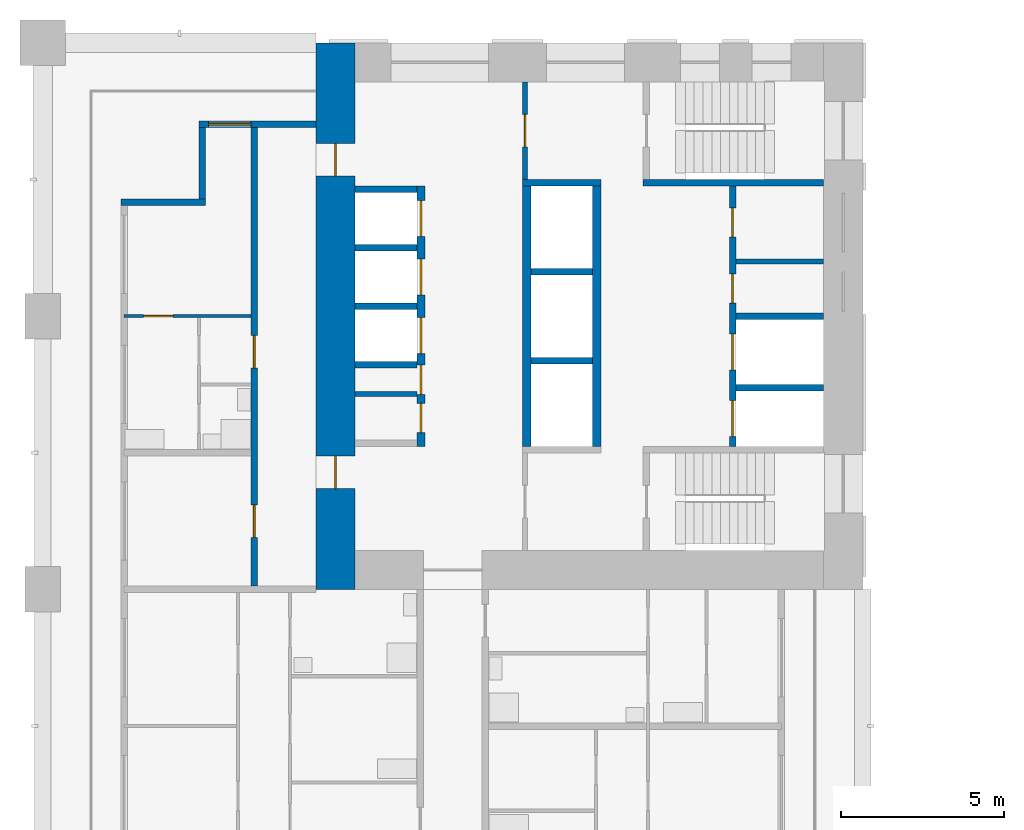
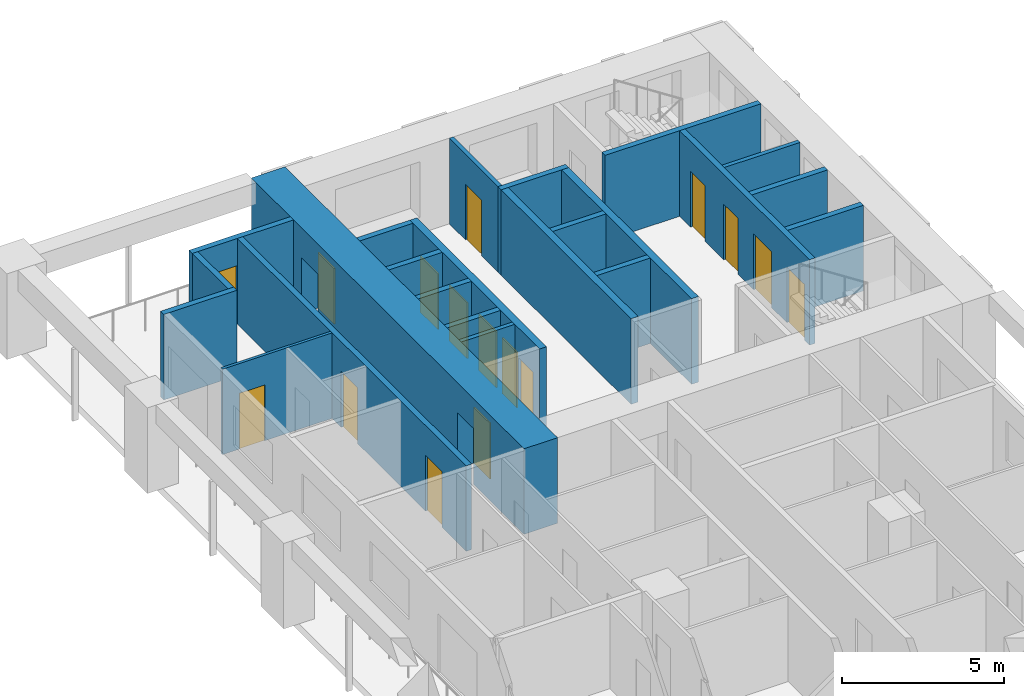
# One storey, part 9 of 19: 23 walls, 16 doors, 16 openings.
"""IFC4 building model written with IfcOpenShell, lengths in metres."""

from ifc_helpers import new_model, si_unit, direction, frame, frame_2d, origin, place, context, subcontext, project, spatial, rectangle, extrude, material, layer, layer_set, type_object, element, fill, save


model = new_model("IFC4")

# Units and contexts
model_context = context("Model", 3, precision=1e-05, world=origin(), true_north=direction((0.0, 1.0)))
body_context = subcontext(model_context, "Body", "Model", "MODEL_VIEW")
ifc_project = project(units=[si_unit("LENGTHUNIT", "METRE"), si_unit("AREAUNIT", "SQUARE_METRE"), si_unit("VOLUMEUNIT", "CUBIC_METRE"), si_unit("PLANEANGLEUNIT", "RADIAN"), si_unit("MASSUNIT", "GRAM", prefix="KILO")], contexts=[model_context])

# Site, building, storey
site_placement = place(None, origin())
site = spatial("IfcSite", under=ifc_project, at=site_placement, CompositionType="ELEMENT")
building_placement = place(site_placement, origin())
building = spatial("IfcBuilding", under=site, at=building_placement, Name="Vermilion Gate Residences", CompositionType="ELEMENT")
storey_placement = place(building_placement, frame((0.0, 0.0, 53.199951171875)))
storey = spatial("IfcBuildingStorey", under=building, at=storey_placement, Name="L12", CompositionType="ELEMENT", Elevation=53.199951171875)

# Walls
ifc_material_1 = material(Name="Masonry blockwork", Category="masonry")
ifc_layer_1 = layer(ifc_material_1, 0.14990234375)
ifc_layer_set_1 = layer_set([ifc_layer_1], Name="BLOCKWORK PARTITION 150 EI 120")
wall_type_1 = type_object("IfcWallType", Name="BLOCKWORK PARTITION 150 EI 120", PredefinedType="PARTITIONING", material=ifc_layer_set_1)
wall_1_placement = place(storey_placement, frame((9.60009765625, 48.007568359375, 0.0), z_axis=(0.0, 0.0, 1.0), x_axis=(1.0, 0.0, 0.0)))
element("IfcWall", 1, at=wall_1_placement, inside=storey, type_object=wall_type_1, Name="Core room partition B12-SR-P0", PredefinedType="PARTITIONING", context=body_context, shape_type="SweptSolid", body=[
    extrude(rectangle(XDim=1.89990234375, YDim=0.14990234375, at=frame_2d((0.949951171875, 0.0))), origin(), (0.0, 0.0, 1.0), 3.219970703125),
])
wall_2_placement = place(storey_placement, frame((21.300048828125, 52.074951171875, 0.0), z_axis=(0.0, 0.0, 1.0), x_axis=(1.0, 0.0, 0.0)))
element("IfcWall", 2, at=wall_2_placement, inside=storey, type_object=wall_type_1, Name="Core room partition B12-NR-P0", PredefinedType="PARTITIONING", context=body_context, shape_type="SweptSolid", body=[
    extrude(rectangle(XDim=2.699951171875, YDim=0.14990234375, at=frame_2d((1.35009765625, 0.0))), origin(), (0.0, 0.0, 1.0), 3.219970703125),
])

# Wall, opening, door
wall_3_placement = place(storey_placement, frame((14.824951171875, 57.60009765625, 0.0), z_axis=(0.0, 0.0, 1.0), x_axis=(0.0, -1.0, 0.0)))
wall_3 = element("IfcWall", 3, at=wall_3_placement, inside=storey, type_object=wall_type_1, Name="Core room partition B12-VW-S", PredefinedType="PARTITIONING", context=body_context, shape_type="SweptSolid", body=[
    extrude(rectangle(XDim=3.0, YDim=0.14990234375, at=frame_2d((1.5, 0.0))), origin(), (0.0, 0.0, 1.0), 3.219970703125),
])
opening_1_placement = place(wall_3_placement, frame((1.0, 0.0, 0.0)))
opening_1 = element("IfcOpeningElement", 4, at=opening_1_placement, cuts=wall_3, Name="Opening DK12113", PredefinedType="OPENING", context=body_context, shape_type="SweptSolid", body=[
    extrude(rectangle(XDim=1.0, YDim=2.10009765625, at=frame_2d((0.5, 1.050048828125))), frame((0.0, 0.0849609375, 0.0), z_axis=(0.0, -1.0, 0.0), x_axis=(1.0, 0.0, 0.0)), (0.0, 0.0, 1.0), 0.169921875),
])
ifc_material_2 = material(Name="Steel", Category="steel")
door_type_1 = type_object("IfcDoorType", Name="FIRE DOOR FD60 1000 X 2100", OperationType="SINGLE_SWING_LEFT", PredefinedType="DOOR", material=ifc_material_2)
door_1_placement = place(opening_1_placement, frame((1.0, 0.0, 0.0), z_axis=(0.0, 0.0, 1.0), x_axis=(-1.0, 0.0, 0.0)))
door_1 = element("IfcDoor", 5, at=door_1_placement, inside=storey, type_object=door_type_1, Name="Stair vestibule door B12", OperationType="SINGLE_SWING_RIGHT", OverallHeight=2.10009765625, OverallWidth=1.0, PredefinedType="DOOR", context=body_context, shape_type="SweptSolid", body=[
    extrude(rectangle(XDim=1.0, YDim=2.10009765625, at=frame_2d((0.5, 1.050048828125))), frame((0.0, 0.02490234375, 0.0), z_axis=(0.0, -1.0, 0.0), x_axis=(1.0, 0.0, 0.0)), (0.0, 0.0, 1.0), 0.050048828125),
])
fill(opening_1, door_1)

ifc_material_3 = material(Name="Insulated steel stud wall with terracotta rainscreen", Category="masonry")
ifc_layer_2 = layer(ifc_material_3, 0.199951171875)
ifc_layer_set_2 = layer_set([ifc_layer_2], Name="EXTERNAL WALL 200 TERRACOTTA RAINSCREEN")
wall_type_2 = type_object("IfcWallType", Name="EXTERNAL WALL 200 TERRACOTTA RAINSCREEN", PredefinedType="SOLIDWALL", material=ifc_layer_set_2)
wall_4_placement = place(storey_placement, frame((8.39990234375, 56.300048828125, 0.0), z_axis=(0.0, 0.0, 1.0), x_axis=(-1.0, 0.0, 0.0)))
wall_4 = element("IfcWall", 6, at=wall_4_placement, inside=storey, type_object=wall_type_2, Name="External wall", PredefinedType="SOLIDWALL", context=body_context, shape_type="SweptSolid", body=[
    extrude(rectangle(XDim=3.599853515625, YDim=0.199951171875, at=frame_2d((1.7998046875, 0.0))), origin(), (0.0, 0.0, 1.0), 3.219970703125),
])
opening_2_placement = place(wall_4_placement, frame((2.0, 0.0, 0.0)))
opening_2 = element("IfcOpeningElement", 7, at=opening_2_placement, cuts=wall_4, Name="Opening DE12001", PredefinedType="OPENING", context=body_context, shape_type="SweptSolid", body=[
    extrude(rectangle(XDim=1.300048828125, YDim=2.199951171875, at=frame_2d((0.64990234375, 1.10009765625))), frame((0.0, 0.10986328125, 0.0), z_axis=(0.0, -1.0, 0.0), x_axis=(1.0, 0.0, 0.0)), (0.0, 0.0, 1.0), 0.219970703125),
])
ifc_material_4 = material(Name="Aluminium and clear glass", Category="aluminium")
door_type_2 = type_object("IfcDoorType", Name="SLIDING GLAZED DOOR 1300 X 2200", OperationType="DOUBLE_DOOR_SLIDING", PredefinedType="DOOR", material=ifc_material_4)
door_2_placement = place(opening_2_placement, origin())
door_2 = element("IfcDoor", 8, at=door_2_placement, inside=storey, type_object=door_type_2, Name="Loggia sliding door", OperationType="DOUBLE_DOOR_SLIDING", OverallHeight=2.199951171875, OverallWidth=1.300048828125, PredefinedType="DOOR", context=body_context, shape_type="SweptSolid", body=[
    extrude(rectangle(XDim=1.300048828125, YDim=2.199951171875, at=frame_2d((0.64990234375, 1.10009765625))), frame((0.0, 0.02490234375, 0.0), z_axis=(0.0, -1.0, 0.0), x_axis=(1.0, 0.0, 0.0)), (0.0, 0.0, 1.0), 0.050048828125),
])
fill(opening_2, door_2)

# Walls
wall_5_placement = place(storey_placement, frame((4.89990234375, 56.199951171875, 0.0), z_axis=(0.0, 0.0, 1.0), x_axis=(0.0, -1.0, 0.0)))
element("IfcWall", 9, at=wall_5_placement, inside=storey, type_object=wall_type_2, Name="External wall", PredefinedType="SOLIDWALL", context=body_context, shape_type="SweptSolid", body=[
    extrude(rectangle(XDim=2.199951171875, YDim=0.199951171875, at=frame_2d((1.10009765625, 0.0))), origin(), (0.0, 0.0, 1.0), 3.219970703125),
])
wall_6_placement = place(storey_placement, frame((5.0, 53.89990234375, 0.0), z_axis=(0.0, 0.0, 1.0), x_axis=(-1.0, 0.0, 0.0)))
element("IfcWall", 10, at=wall_6_placement, inside=storey, type_object=wall_type_2, Name="External wall", PredefinedType="SOLIDWALL", context=body_context, shape_type="SweptSolid", body=[
    extrude(rectangle(XDim=2.60009765625, YDim=0.199951171875, at=frame_2d((1.300048828125, 0.0))), origin(), (0.0, 0.0, 1.0), 3.219970703125),
])

# Wall, opening, door
ifc_material_5 = material(Name="Plasterboard on steel studs", Category="steel")
ifc_layer_3 = layer(ifc_material_5, 0.10009765625)
ifc_layer_set_3 = layer_set([ifc_layer_3], Name="PARTITION 100")
wall_type_3 = type_object("IfcWallType", Name="PARTITION 100", PredefinedType="PARTITIONING", material=ifc_layer_set_3)
wall_7_placement = place(storey_placement, frame((2.5, 50.39990234375, 0.0), z_axis=(0.0, 0.0, 1.0), x_axis=(1.0, 0.0, 0.0)))
wall_7 = element("IfcWall", 11, at=wall_7_placement, inside=storey, type_object=wall_type_3, Name="Partition", PredefinedType="PARTITIONING", context=body_context, shape_type="SweptSolid", body=[
    extrude(rectangle(XDim=3.89990234375, YDim=0.10009765625, at=frame_2d((1.949951171875, 0.0))), origin(), (0.0, 0.0, 1.0), 3.219970703125),
])
opening_3_placement = place(wall_7_placement, frame((0.60009765625, 0.0, 0.0)))
opening_3 = element("IfcOpeningElement", 12, at=opening_3_placement, cuts=wall_7, Name="Opening DA10042", PredefinedType="OPENING", context=body_context, shape_type="SweptSolid", body=[
    extrude(rectangle(XDim=0.89990234375, YDim=2.10009765625, at=frame_2d((0.449951171875, 1.050048828125))), frame((0.0, 0.06005859375, 0.0), z_axis=(0.0, -1.0, 0.0), x_axis=(1.0, 0.0, 0.0)), (0.0, 0.0, 1.0), 0.1201171875),
])
ifc_material_6 = material(Name="Timber", Category="wood")
door_type_3 = type_object("IfcDoorType", Name="INTERIOR DOOR 900 X 2100", OperationType="SINGLE_SWING_LEFT", PredefinedType="DOOR", material=ifc_material_6)
door_3_placement = place(opening_3_placement, frame((0.89990234375, 0.0, 0.0), z_axis=(0.0, 0.0, 1.0), x_axis=(-1.0, 0.0, 0.0)))
door_3 = element("IfcDoor", 13, at=door_3_placement, inside=storey, type_object=door_type_3, Name="Interior door", OperationType="SINGLE_SWING_RIGHT", OverallHeight=2.10009765625, OverallWidth=0.89990234375, PredefinedType="DOOR", context=body_context, shape_type="SweptSolid", body=[
    extrude(rectangle(XDim=0.89990234375, YDim=2.10009765625, at=frame_2d((0.449951171875, 1.050048828125))), frame((0.0, 0.02490234375, 0.0), z_axis=(0.0, -1.0, 0.0), x_axis=(1.0, 0.0, 0.0)), (0.0, 0.0, 1.0), 0.050048828125),
])
fill(opening_3, door_3)

# Wall, openings, doors
ifc_material_7 = material(Name="Fire-rated plasterboard on steel studs", Category="steel")
ifc_layer_4 = layer(ifc_material_7, 0.199951171875)
ifc_layer_set_4 = layer_set([ifc_layer_4], Name="PARTY WALL 200 EI 120")
wall_type_4 = type_object("IfcWallType", Name="PARTY WALL 200 EI 120", PredefinedType="PARTITIONING", material=ifc_layer_set_4)
wall_8_placement = place(storey_placement, frame((6.5, 42.10009765625, 0.0), z_axis=(0.0, 0.0, 1.0), x_axis=(0.0, 1.0, 0.0)))
wall_8 = element("IfcWall", 14, at=wall_8_placement, inside=storey, type_object=wall_type_4, Name="Party and corridor wall", PredefinedType="PARTITIONING", context=body_context, shape_type="SweptSolid", body=[
    extrude(rectangle(XDim=14.199951171875, YDim=0.199951171875, at=frame_2d((7.10009765625, 0.0))), origin(), (0.0, 0.0, 1.0), 3.219970703125),
])
opening_4_placement = place(wall_8_placement, frame((1.5, 0.0, 0.0)))
opening_4 = element("IfcOpeningElement", 15, at=opening_4_placement, cuts=wall_8, Name="Opening DA10049", PredefinedType="OPENING", context=body_context, shape_type="SweptSolid", body=[
    extrude(rectangle(XDim=1.0, YDim=2.10009765625, at=frame_2d((0.5, 1.050048828125))), frame((0.0, 0.10986328125, 0.0), z_axis=(0.0, -1.0, 0.0), x_axis=(1.0, 0.0, 0.0)), (0.0, 0.0, 1.0), 0.219970703125),
])
opening_5_placement = place(wall_8_placement, frame((6.699951171875, 0.0, 0.0)))
opening_5 = element("IfcOpeningElement", 16, at=opening_5_placement, cuts=wall_8, Name="Opening DA10050", PredefinedType="OPENING", context=body_context, shape_type="SweptSolid", body=[
    extrude(rectangle(XDim=1.0, YDim=2.10009765625, at=frame_2d((0.5, 1.050048828125))), frame((0.0, 0.10986328125, 0.0), z_axis=(0.0, -1.0, 0.0), x_axis=(1.0, 0.0, 0.0)), (0.0, 0.0, 1.0), 0.219970703125),
])
ifc_material_8 = material(Name="Steel", Category="steel")
door_type_4 = type_object("IfcDoorType", Name="ENTRANCE DOOR 1000 X 2100 FD30", OperationType="SINGLE_SWING_LEFT", PredefinedType="DOOR", material=ifc_material_8)
door_4_placement = place(opening_4_placement, origin())
door_4 = element("IfcDoor", 17, at=door_4_placement, inside=storey, type_object=door_type_4, Name="Entrance door", OperationType="SINGLE_SWING_LEFT", OverallHeight=2.10009765625, OverallWidth=1.0, PredefinedType="DOOR", context=body_context, shape_type="SweptSolid", body=[
    extrude(rectangle(XDim=1.0, YDim=2.10009765625, at=frame_2d((0.5, 1.050048828125))), frame((0.0, 0.02490234375, 0.0), z_axis=(0.0, -1.0, 0.0), x_axis=(1.0, 0.0, 0.0)), (0.0, 0.0, 1.0), 0.050048828125),
])
fill(opening_4, door_4)
door_5_placement = place(opening_5_placement, origin())
door_5 = element("IfcDoor", 18, at=door_5_placement, inside=storey, type_object=door_type_4, Name="Entrance door", OperationType="SINGLE_SWING_LEFT", OverallHeight=2.10009765625, OverallWidth=1.0, PredefinedType="DOOR", context=body_context, shape_type="SweptSolid", body=[
    extrude(rectangle(XDim=1.0, YDim=2.10009765625, at=frame_2d((0.5, 1.050048828125))), frame((0.0, 0.02490234375, 0.0), z_axis=(0.0, -1.0, 0.0), x_axis=(1.0, 0.0, 0.0)), (0.0, 0.0, 1.0), 0.050048828125),
])
fill(opening_5, door_5)

# Walls
ifc_material_9 = material(Name="Concrete C60", Category="concrete")
ifc_layer_5 = layer(ifc_material_9, 0.199951171875)
ifc_layer_set_5 = layer_set([ifc_layer_5], Name="RC CORE INTERNAL WALL 200 C60")
wall_type_5 = type_object("IfcWallType", Name="RC CORE INTERNAL WALL 200 C60", PredefinedType="SHEAR", material=ifc_layer_set_5)
for number, where, z_axis, x_axis, name in (
    (19, (9.60009765625, 54.300048828125, 0.0), (0.0, 0.0, 1.0), (1.0, 0.0, 0.0), "Core internal wall B12-LR-D0"),
    (20, (9.60009765625, 52.5, 0.0), (0.0, 0.0, 1.0), (1.0, 0.0, 0.0), "Core internal wall B12-LR-D1"),
    (21, (9.60009765625, 50.699951171875, 0.0), (0.0, 0.0, 1.0), (1.0, 0.0, 0.0), "Core internal wall B12-LR-D2"),
    (22, (9.60009765625, 48.89990234375, 0.0), (0.0, 0.0, 1.0), (1.0, 0.0, 0.0), "Core internal wall B12-LR-D3"),
    (23, (15.0, 51.7666015625, 0.0), (0.0, 0.0, 1.0), (1.0, 0.0, 0.0), "Core internal wall B12-HR-D1"),
    (24, (15.0, 49.033447265625, 0.0), (0.0, 0.0, 1.0), (1.0, 0.0, 0.0), "Core internal wall B12-HR-D2"),
):
    element("IfcWall", number, at=place(storey_placement, frame(where, z_axis=z_axis, x_axis=x_axis)), inside=storey, type_object=wall_type_5, Name=name, PredefinedType="SHEAR", context=body_context, shape_type="SweptSolid", body=[
        extrude(rectangle(XDim=1.89990234375, YDim=0.199951171875, at=frame_2d((0.949951171875, 0.0))), origin(), (0.0, 0.0, 1.0), 3.219970703125),
    ])
for number, where, z_axis, x_axis, name in (
    (25, (21.300048828125, 50.39990234375, 0.0), (0.0, 0.0, 1.0), (1.0, 0.0, 0.0), "Core internal wall B12-FF-D0"),
    (26, (21.300048828125, 48.199951171875, 0.0), (0.0, 0.0, 1.0), (1.0, 0.0, 0.0), "Core internal wall B12-FF-D1"),
):
    element("IfcWall", number, at=place(storey_placement, frame(where, z_axis=z_axis, x_axis=x_axis)), inside=storey, type_object=wall_type_5, Name=name, PredefinedType="SHEAR", context=body_context, shape_type="SweptSolid", body=[
        extrude(rectangle(XDim=2.699951171875, YDim=0.199951171875, at=frame_2d((1.35009765625, 0.0))), origin(), (0.0, 0.0, 1.0), 3.219970703125),
    ])

# Wall, openings, doors
wall_9_placement = place(storey_placement, frame((21.199951171875, 54.39990234375, 0.0), z_axis=(0.0, 0.0, 1.0), x_axis=(0.0, -1.0, 0.0)))
wall_9 = element("IfcWall", 27, at=wall_9_placement, inside=storey, type_object=wall_type_5, Name="Core internal wall B12-FF-F", PredefinedType="SHEAR", context=body_context, shape_type="SweptSolid", body=[
    extrude(rectangle(XDim=8.0, YDim=0.199951171875, at=frame_2d((4.0, 0.0))), origin(), (0.0, 0.0, 1.0), 3.219970703125),
])
opening_6_placement = place(wall_9_placement, frame((0.675048828125, 0.0, 0.0)))
opening_6 = element("IfcOpeningElement", 28, at=opening_6_placement, cuts=wall_9, Name="Opening DK12109", PredefinedType="OPENING", context=body_context, shape_type="SweptSolid", body=[
    extrude(rectangle(XDim=0.89990234375, YDim=2.10009765625, at=frame_2d((0.449951171875, 1.050048828125))), frame((0.0, 0.10986328125, 0.0), z_axis=(0.0, -1.0, 0.0), x_axis=(1.0, 0.0, 0.0)), (0.0, 0.0, 1.0), 0.219970703125),
])
opening_7_placement = place(wall_9_placement, frame((2.699951171875, 0.0, 0.0)))
opening_7 = element("IfcOpeningElement", 29, at=opening_7_placement, cuts=wall_9, Name="Opening DK12110", PredefinedType="OPENING", context=body_context, shape_type="SweptSolid", body=[
    extrude(rectangle(XDim=0.89990234375, YDim=2.10009765625, at=frame_2d((0.449951171875, 1.050048828125))), frame((0.0, 0.10986328125, 0.0), z_axis=(0.0, -1.0, 0.0), x_axis=(1.0, 0.0, 0.0)), (0.0, 0.0, 1.0), 0.219970703125),
])
opening_8_placement = place(wall_9_placement, frame((4.550048828125, 0.0, 0.0)))
opening_8 = element("IfcOpeningElement", 30, at=opening_8_placement, cuts=wall_9, Name="Opening LD", PredefinedType="OPENING", context=body_context, shape_type="SweptSolid", body=[
    extrude(rectangle(XDim=1.10009765625, YDim=2.10009765625, at=frame_2d((0.550048828125, 1.050048828125))), frame((0.0, 0.10986328125, 0.0), z_axis=(0.0, -1.0, 0.0), x_axis=(1.0, 0.0, 0.0)), (0.0, 0.0, 1.0), 0.219970703125),
])
opening_9_placement = place(wall_9_placement, frame((6.60009765625, 0.0, 0.0)))
opening_9 = element("IfcOpeningElement", 31, at=opening_9_placement, cuts=wall_9, Name="Opening LD", PredefinedType="OPENING", context=body_context, shape_type="SweptSolid", body=[
    extrude(rectangle(XDim=1.10009765625, YDim=2.10009765625, at=frame_2d((0.550048828125, 1.050048828125))), frame((0.0, 0.10986328125, 0.0), z_axis=(0.0, -1.0, 0.0), x_axis=(1.0, 0.0, 0.0)), (0.0, 0.0, 1.0), 0.219970703125),
])
ifc_material_10 = material(Name="Stainless steel", Category="steel")
door_type_5 = type_object("IfcDoorType", Name="LIFT LANDING DOOR E60 1100 X 2100", OperationType="DOUBLE_DOOR_SLIDING", PredefinedType="DOOR", material=ifc_material_10)
door_6_placement = place(opening_8_placement, origin())
door_6 = element("IfcDoor", 32, at=door_6_placement, inside=storey, type_object=door_type_5, Name="Lift landing door LFB1", OperationType="DOUBLE_DOOR_SLIDING", OverallHeight=2.10009765625, OverallWidth=1.10009765625, PredefinedType="DOOR", context=body_context, shape_type="SweptSolid", body=[
    extrude(rectangle(XDim=1.10009765625, YDim=2.10009765625, at=frame_2d((0.550048828125, 1.050048828125))), frame((0.0, 0.02490234375, 0.0), z_axis=(0.0, -1.0, 0.0), x_axis=(1.0, 0.0, 0.0)), (0.0, 0.0, 1.0), 0.050048828125),
])
fill(opening_8, door_6)
door_7_placement = place(opening_9_placement, origin())
door_7 = element("IfcDoor", 33, at=door_7_placement, inside=storey, type_object=door_type_5, Name="Lift landing door LCB1", OperationType="DOUBLE_DOOR_SLIDING", OverallHeight=2.10009765625, OverallWidth=1.10009765625, PredefinedType="DOOR", context=body_context, shape_type="SweptSolid", body=[
    extrude(rectangle(XDim=1.10009765625, YDim=2.10009765625, at=frame_2d((0.550048828125, 1.050048828125))), frame((0.0, 0.02490234375, 0.0), z_axis=(0.0, -1.0, 0.0), x_axis=(1.0, 0.0, 0.0)), (0.0, 0.0, 1.0), 0.050048828125),
])
fill(opening_9, door_7)
ifc_material_11 = material(Name="Steel", Category="steel")
door_type_6 = type_object("IfcDoorType", Name="SERVICE ROOM DOOR FD60 900 X 2100", OperationType="SINGLE_SWING_LEFT", PredefinedType="DOOR", material=ifc_material_11)
door_8_placement = place(opening_6_placement, origin())
door_8 = element("IfcDoor", 34, at=door_8_placement, inside=storey, type_object=door_type_6, Name="Parcel room B12", OperationType="SINGLE_SWING_RIGHT", OverallHeight=2.10009765625, OverallWidth=0.89990234375, PredefinedType="DOOR", context=body_context, shape_type="SweptSolid", body=[
    extrude(rectangle(XDim=0.89990234375, YDim=2.10009765625, at=frame_2d((0.449951171875, 1.050048828125))), frame((0.0, 0.02490234375, 0.0), z_axis=(0.0, -1.0, 0.0), x_axis=(1.0, 0.0, 0.0)), (0.0, 0.0, 1.0), 0.050048828125),
])
fill(opening_6, door_8)
door_9_placement = place(opening_7_placement, frame((0.89990234375, 0.0, 0.0), z_axis=(0.0, 0.0, 1.0), x_axis=(-1.0, 0.0, 0.0)))
door_9 = element("IfcDoor", 35, at=door_9_placement, inside=storey, type_object=door_type_6, Name="Electrical room B12", OperationType="SINGLE_SWING_RIGHT", OverallHeight=2.10009765625, OverallWidth=0.89990234375, PredefinedType="DOOR", context=body_context, shape_type="SweptSolid", body=[
    extrude(rectangle(XDim=0.89990234375, YDim=2.10009765625, at=frame_2d((0.449951171875, 1.050048828125))), frame((0.0, 0.02490234375, 0.0), z_axis=(0.0, -1.0, 0.0), x_axis=(1.0, 0.0, 0.0)), (0.0, 0.0, 1.0), 0.050048828125),
])
fill(opening_7, door_9)

# Walls
wall_10_placement = place(storey_placement, frame((14.75, 54.5, 0.0), z_axis=(0.0, 0.0, 1.0), x_axis=(1.0, 0.0, 0.0)))
element("IfcWall", 36, at=wall_10_placement, inside=storey, type_object=wall_type_5, Name="Core internal wall B12-WDIV1", PredefinedType="SHEAR", context=body_context, shape_type="SweptSolid", body=[
    extrude(rectangle(XDim=2.39990234375, YDim=0.199951171875, at=frame_2d((1.199951171875, 0.0))), origin(), (0.0, 0.0, 1.0), 3.219970703125),
])
wall_11_placement = place(storey_placement, frame((18.449951171875, 54.5, 0.0), z_axis=(0.0, 0.0, 1.0), x_axis=(1.0, 0.0, 0.0)))
element("IfcWall", 37, at=wall_11_placement, inside=storey, type_object=wall_type_5, Name="Core internal wall B12-WDIV2", PredefinedType="SHEAR", context=body_context, shape_type="SweptSolid", body=[
    extrude(rectangle(XDim=5.550048828125, YDim=0.199951171875, at=frame_2d((2.77490234375, 0.0))), origin(), (0.0, 0.0, 1.0), 3.219970703125),
])

# Wall, openings, doors
ifc_material_12 = material(Name="Concrete C80", Category="concrete")
ifc_layer_6 = layer(ifc_material_12, 1.199951171875)
ifc_layer_set_6 = layer_set([ifc_layer_6], Name="RC CORE WALL 1200 C80")
wall_type_6 = type_object("IfcWallType", Name="RC CORE WALL 1200 C80", PredefinedType="SHEAR", material=ifc_layer_set_6)
wall_12_placement = place(storey_placement, frame((9.0, 58.800048828125, 0.0), z_axis=(0.0, 0.0, 1.0), x_axis=(0.0, -1.0, 0.0)))
wall_12 = element("IfcWall", 38, at=wall_12_placement, inside=storey, type_object=wall_type_6, Name="Core wall B12-OUT-B0", PredefinedType="SHEAR", context=body_context, shape_type="SweptSolid", body=[
    extrude(rectangle(XDim=16.800048828125, YDim=1.199951171875, at=frame_2d((8.39990234375, 0.0))), origin(), (0.0, 0.0, 1.0), 3.219970703125),
])
opening_10_placement = place(wall_12_placement, frame((3.10009765625, 0.0, 0.0)))
opening_10 = element("IfcOpeningElement", 39, at=opening_10_placement, cuts=wall_12, Name="Opening DK12101", PredefinedType="OPENING", context=body_context, shape_type="SweptSolid", body=[
    extrude(rectangle(XDim=1.0, YDim=2.10009765625, at=frame_2d((0.5, 1.050048828125))), frame((0.0, 0.60986328125, 0.0), z_axis=(0.0, -1.0, 0.0), x_axis=(1.0, 0.0, 0.0)), (0.0, 0.0, 1.0), 1.219970703125),
])
opening_11_placement = place(wall_12_placement, frame((12.699951171875, 0.0, 0.0)))
opening_11 = element("IfcOpeningElement", 40, at=opening_11_placement, cuts=wall_12, Name="Opening DK12102", PredefinedType="OPENING", context=body_context, shape_type="SweptSolid", body=[
    extrude(rectangle(XDim=1.0, YDim=2.10009765625, at=frame_2d((0.5, 1.050048828125))), frame((0.0, 0.60986328125, 0.0), z_axis=(0.0, -1.0, 0.0), x_axis=(1.0, 0.0, 0.0)), (0.0, 0.0, 1.0), 1.219970703125),
])
door_10_placement = place(opening_10_placement, origin())
door_10 = element("IfcDoor", 41, at=door_10_placement, inside=storey, type_object=door_type_1, Name="Core lobby side door B12", OperationType="SINGLE_SWING_RIGHT", OverallHeight=2.10009765625, OverallWidth=1.0, PredefinedType="DOOR", context=body_context, shape_type="SweptSolid", body=[
    extrude(rectangle(XDim=1.0, YDim=2.10009765625, at=frame_2d((0.5, 1.050048828125))), frame((0.0, 0.02490234375, 0.0), z_axis=(0.0, -1.0, 0.0), x_axis=(1.0, 0.0, 0.0)), (0.0, 0.0, 1.0), 0.050048828125),
])
fill(opening_10, door_10)
door_11_placement = place(opening_11_placement, origin())
door_11 = element("IfcDoor", 42, at=door_11_placement, inside=storey, type_object=door_type_1, Name="Core lobby side door B12", OperationType="SINGLE_SWING_LEFT", OverallHeight=2.10009765625, OverallWidth=1.0, PredefinedType="DOOR", context=body_context, shape_type="SweptSolid", body=[
    extrude(rectangle(XDim=1.0, YDim=2.10009765625, at=frame_2d((0.5, 1.050048828125))), frame((0.0, 0.02490234375, 0.0), z_axis=(0.0, -1.0, 0.0), x_axis=(1.0, 0.0, 0.0)), (0.0, 0.0, 1.0), 0.050048828125),
])
fill(opening_11, door_11)

ifc_material_13 = material(Name="Concrete C60", Category="concrete")
ifc_layer_7 = layer(ifc_material_13, 0.25)
ifc_layer_set_7 = layer_set([ifc_layer_7], Name="RC LIFT SHAFT WALL 250 C60")
wall_type_7 = type_object("IfcWallType", Name="RC LIFT SHAFT WALL 250 C60", PredefinedType="SHEAR", material=ifc_layer_set_7)
wall_13_placement = place(storey_placement, frame((11.625, 54.39990234375, 0.0), z_axis=(0.0, 0.0, 1.0), x_axis=(0.0, -1.0, 0.0)))
wall_13 = element("IfcWall", 43, at=wall_13_placement, inside=storey, type_object=wall_type_7, Name="Lift shaft wall B12-LR-F", PredefinedType="SHEAR", context=body_context, shape_type="SweptSolid", body=[
    extrude(rectangle(XDim=8.0, YDim=0.25, at=frame_2d((4.0, 0.0))), origin(), (0.0, 0.0, 1.0), 3.219970703125),
])
opening_12_placement = place(wall_13_placement, frame((0.449951171875, 0.0, 0.0)))
opening_12 = element("IfcOpeningElement", 44, at=opening_12_placement, cuts=wall_13, Name="Opening LD", PredefinedType="OPENING", context=body_context, shape_type="SweptSolid", body=[
    extrude(rectangle(XDim=1.10009765625, YDim=2.10009765625, at=frame_2d((0.550048828125, 1.050048828125))), frame((0.0, 0.135009765625, 0.0), z_axis=(0.0, -1.0, 0.0), x_axis=(1.0, 0.0, 0.0)), (0.0, 0.0, 1.0), 0.27001953125),
])
opening_13_placement = place(wall_13_placement, frame((2.25, 0.0, 0.0)))
opening_13 = element("IfcOpeningElement", 45, at=opening_13_placement, cuts=wall_13, Name="Opening LD", PredefinedType="OPENING", context=body_context, shape_type="SweptSolid", body=[
    extrude(rectangle(XDim=1.10009765625, YDim=2.10009765625, at=frame_2d((0.550048828125, 1.050048828125))), frame((0.0, 0.135009765625, 0.0), z_axis=(0.0, -1.0, 0.0), x_axis=(1.0, 0.0, 0.0)), (0.0, 0.0, 1.0), 0.27001953125),
])
opening_14_placement = place(wall_13_placement, frame((4.050048828125, 0.0, 0.0)))
opening_14 = element("IfcOpeningElement", 46, at=opening_14_placement, cuts=wall_13, Name="Opening LD", PredefinedType="OPENING", context=body_context, shape_type="SweptSolid", body=[
    extrude(rectangle(XDim=1.10009765625, YDim=2.10009765625, at=frame_2d((0.550048828125, 1.050048828125))), frame((0.0, 0.135009765625, 0.0), z_axis=(0.0, -1.0, 0.0), x_axis=(1.0, 0.0, 0.0)), (0.0, 0.0, 1.0), 0.27001953125),
])
opening_15_placement = place(wall_13_placement, frame((5.5087890625, 0.0, 0.0)))
opening_15 = element("IfcOpeningElement", 47, at=opening_15_placement, cuts=wall_13, Name="Opening DK12107", PredefinedType="OPENING", context=body_context, shape_type="SweptSolid", body=[
    extrude(rectangle(XDim=0.89990234375, YDim=2.10009765625, at=frame_2d((0.449951171875, 1.050048828125))), frame((0.0, 0.135009765625, 0.0), z_axis=(0.0, -1.0, 0.0), x_axis=(1.0, 0.0, 0.0)), (0.0, 0.0, 1.0), 0.27001953125),
])
opening_16_placement = place(wall_13_placement, frame((6.683837890625, 0.0, 0.0)))
opening_16 = element("IfcOpeningElement", 48, at=opening_16_placement, cuts=wall_13, Name="Opening DK12108", PredefinedType="OPENING", context=body_context, shape_type="SweptSolid", body=[
    extrude(rectangle(XDim=0.89990234375, YDim=2.10009765625, at=frame_2d((0.449951171875, 1.050048828125))), frame((0.0, 0.135009765625, 0.0), z_axis=(0.0, -1.0, 0.0), x_axis=(1.0, 0.0, 0.0)), (0.0, 0.0, 1.0), 0.27001953125),
])
door_12_placement = place(opening_12_placement, origin())
door_12 = element("IfcDoor", 49, at=door_12_placement, inside=storey, type_object=door_type_5, Name="Lift landing door LRB1", OperationType="DOUBLE_DOOR_SLIDING", OverallHeight=2.10009765625, OverallWidth=1.10009765625, PredefinedType="DOOR", context=body_context, shape_type="SweptSolid", body=[
    extrude(rectangle(XDim=1.10009765625, YDim=2.10009765625, at=frame_2d((0.550048828125, 1.050048828125))), frame((0.0, 0.02490234375, 0.0), z_axis=(0.0, -1.0, 0.0), x_axis=(1.0, 0.0, 0.0)), (0.0, 0.0, 1.0), 0.050048828125),
])
fill(opening_12, door_12)
door_13_placement = place(opening_13_placement, origin())
door_13 = element("IfcDoor", 50, at=door_13_placement, inside=storey, type_object=door_type_5, Name="Lift landing door LRB2", OperationType="DOUBLE_DOOR_SLIDING", OverallHeight=2.10009765625, OverallWidth=1.10009765625, PredefinedType="DOOR", context=body_context, shape_type="SweptSolid", body=[
    extrude(rectangle(XDim=1.10009765625, YDim=2.10009765625, at=frame_2d((0.550048828125, 1.050048828125))), frame((0.0, 0.02490234375, 0.0), z_axis=(0.0, -1.0, 0.0), x_axis=(1.0, 0.0, 0.0)), (0.0, 0.0, 1.0), 0.050048828125),
])
fill(opening_13, door_13)
door_14_placement = place(opening_14_placement, origin())
door_14 = element("IfcDoor", 51, at=door_14_placement, inside=storey, type_object=door_type_5, Name="Lift landing door LRB3", OperationType="DOUBLE_DOOR_SLIDING", OverallHeight=2.10009765625, OverallWidth=1.10009765625, PredefinedType="DOOR", context=body_context, shape_type="SweptSolid", body=[
    extrude(rectangle(XDim=1.10009765625, YDim=2.10009765625, at=frame_2d((0.550048828125, 1.050048828125))), frame((0.0, 0.02490234375, 0.0), z_axis=(0.0, -1.0, 0.0), x_axis=(1.0, 0.0, 0.0)), (0.0, 0.0, 1.0), 0.050048828125),
])
fill(opening_14, door_14)
door_15_placement = place(opening_15_placement, origin())
door_15 = element("IfcDoor", 52, at=door_15_placement, inside=storey, type_object=door_type_6, Name="Fire equipment store B12", OperationType="SINGLE_SWING_LEFT", OverallHeight=2.10009765625, OverallWidth=0.89990234375, PredefinedType="DOOR", context=body_context, shape_type="SweptSolid", body=[
    extrude(rectangle(XDim=0.89990234375, YDim=2.10009765625, at=frame_2d((0.449951171875, 1.050048828125))), frame((0.0, 0.02490234375, 0.0), z_axis=(0.0, -1.0, 0.0), x_axis=(1.0, 0.0, 0.0)), (0.0, 0.0, 1.0), 0.050048828125),
])
fill(opening_15, door_15)
door_16_placement = place(opening_16_placement, frame((0.89990234375, 0.0, 0.0), z_axis=(0.0, 0.0, 1.0), x_axis=(-1.0, 0.0, 0.0)))
door_16 = element("IfcDoor", 53, at=door_16_placement, inside=storey, type_object=door_type_6, Name="Mail room B12", OperationType="SINGLE_SWING_RIGHT", OverallHeight=2.10009765625, OverallWidth=0.89990234375, PredefinedType="DOOR", context=body_context, shape_type="SweptSolid", body=[
    extrude(rectangle(XDim=0.89990234375, YDim=2.10009765625, at=frame_2d((0.449951171875, 1.050048828125))), frame((0.0, 0.02490234375, 0.0), z_axis=(0.0, -1.0, 0.0), x_axis=(1.0, 0.0, 0.0)), (0.0, 0.0, 1.0), 0.050048828125),
])
fill(opening_16, door_16)

# Walls
for number, where, z_axis, x_axis, name in (
    (54, (14.875, 54.39990234375, 0.0), (0.0, 0.0, 1.0), (0.0, -1.0, 0.0), "Lift shaft wall B12-HR-F"),
    (55, (17.02490234375, 54.39990234375, 0.0), (0.0, 0.0, 1.0), (0.0, -1.0, 0.0), "Lift shaft wall B12-HR-B"),
):
    element("IfcWall", number, at=place(storey_placement, frame(where, z_axis=z_axis, x_axis=x_axis)), inside=storey, type_object=wall_type_7, Name=name, PredefinedType="SHEAR", context=body_context, shape_type="SweptSolid", body=[
        extrude(rectangle(XDim=8.0, YDim=0.25, at=frame_2d((4.0, 0.0))), origin(), (0.0, 0.0, 1.0), 3.219970703125),
    ])

save(model, "model.ifc")
